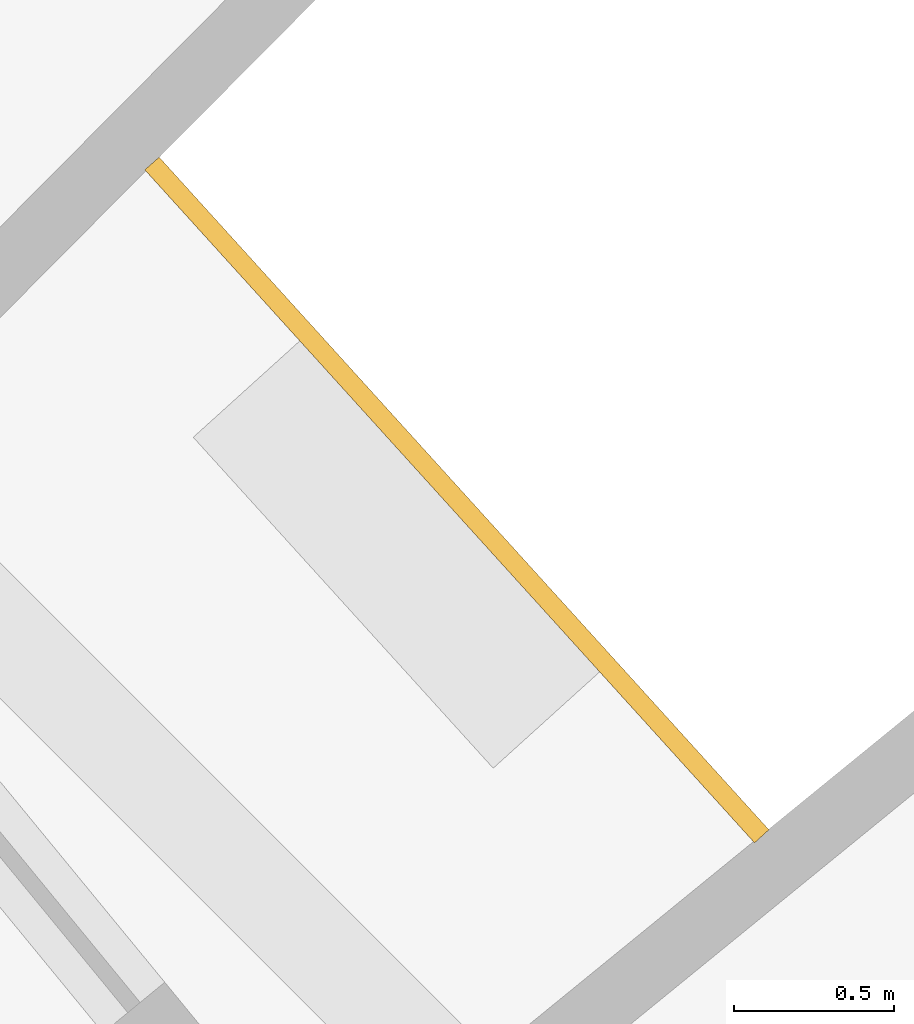
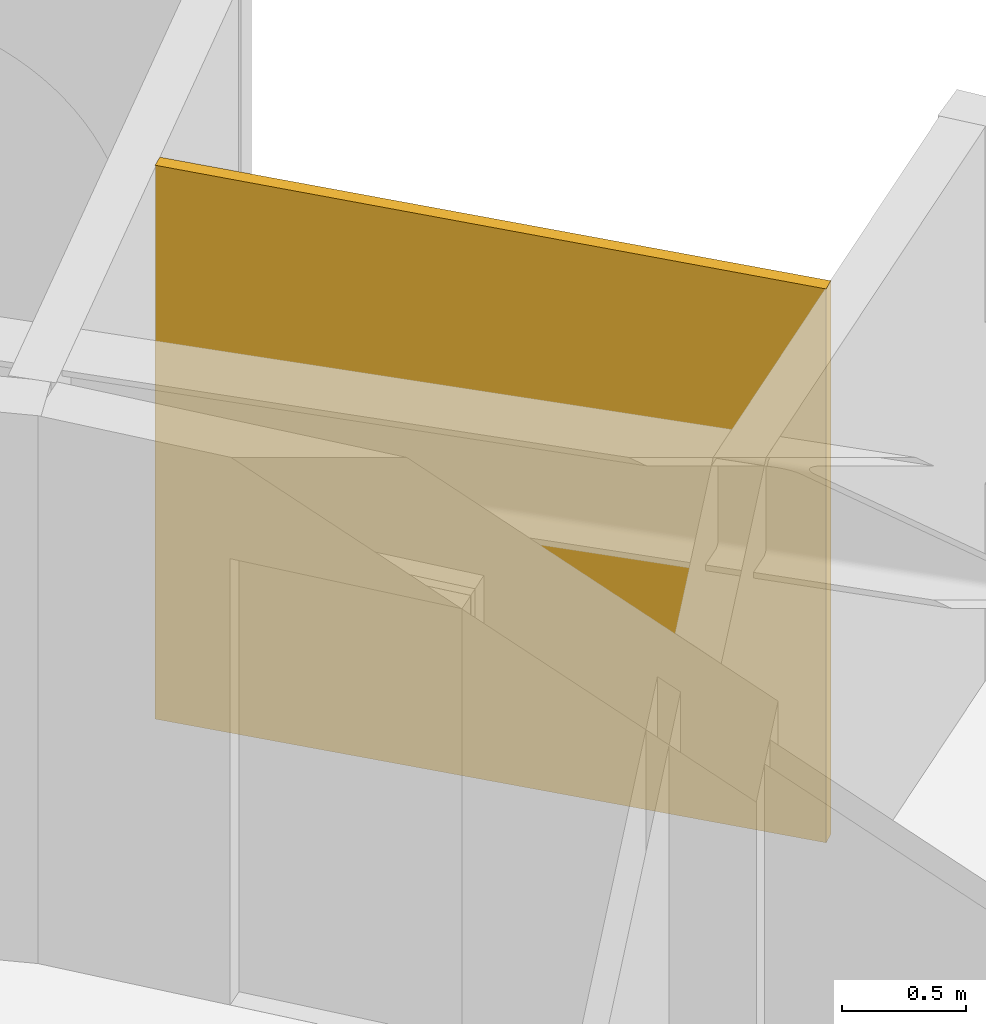
# One storey, part 26 of 26: 1 railing.
"""IFC4 building model written with IfcOpenShell, lengths in metres."""

import ifcopenshell
import ifcopenshell.guid

model = None  # the IFC model being written
_history = None  # IfcOwnerHistory: only IFC2X3 demands one
_inside = {}  # id of a spatial element -> (the spatial element, [elements in it])
_under = {}  # id of a project, library or spatial element -> (it, [spatial elements below it])
_declared = {}  # id of a project -> (the project, [libraries it declares])
_typed = {}  # id of a type object -> (the type object, [elements of that type])
_made_of = {}  # id of a material, layer set ... -> (it, [elements and type objects made of it])


def new_model(schema):
    """Start an empty IFC model of exactly this schema.

    Asked for "IFC4X3", IfcOpenShell would pick the latest addendum, in which some entities
    have other attributes; the version numbers below select the first issue.
    IFC2X3 requires an IfcOwnerHistory on every rooted entity: one is made here for all.
    """
    global model, _history
    if schema == "IFC4X3":
        model = ifcopenshell.file(schema_version=(4, 3, 0, 0))
    else:
        model = ifcopenshell.file(schema=schema)
    _inside.clear()
    _under.clear()
    _declared.clear()
    _typed.clear()
    _made_of.clear()
    _history = None
    if model.schema == "IFC2X3":
        org = make("IfcOrganization", Name="unknown")
        user = make(
            "IfcPersonAndOrganization",
            ThePerson=make("IfcPerson", FamilyName="unknown"),
            TheOrganization=org,
        )
        app = make(
            "IfcApplication",
            ApplicationDeveloper=org,
            Version="unknown",
            ApplicationFullName="unknown",
            ApplicationIdentifier="unknown",
        )
        _history = make(
            "IfcOwnerHistory",
            OwningUser=user,
            OwningApplication=app,
            ChangeAction="ADDED",
            CreationDate=0,
        )
    return model


def make(cls, **values):
    """One entity of the class cls with the attributes given. An attribute that is None is left unset."""
    return model.create_entity(
        cls, **{name: value for name, value in values.items() if value is not None}
    )


def rooted(cls, **values):
    """An entity with a GlobalId (a new one), such as an element, a storey or a relation."""
    return make(cls, GlobalId=ifcopenshell.guid.new(), OwnerHistory=_history, **values)


def si_unit(unit_type, name, prefix=None):
    """IfcSIUnit, for example si_unit("LENGTHUNIT", "METRE", prefix="MILLI")."""
    return make("IfcSIUnit", UnitType=unit_type, Prefix=prefix, Name=name)


def assignment(units):
    """IfcUnitAssignment: the units of a project."""
    return None if units is None else make("IfcUnitAssignment", Units=units)


def point(xyz):
    """IfcCartesianPoint."""
    return None if xyz is None else make("IfcCartesianPoint", Coordinates=xyz)


def direction(xyz):
    """IfcDirection."""
    return None if xyz is None else make("IfcDirection", DirectionRatios=xyz)


def frame(location, z_axis=None, x_axis=None):
    """IfcAxis2Placement3D, a coordinate frame: its origin and axes. An axis left out is left unset."""
    return make(
        "IfcAxis2Placement3D",
        Location=point(location),
        Axis=direction(z_axis),
        RefDirection=direction(x_axis),
    )


def origin():
    """The frame at (0, 0, 0) with its axes left unset."""
    return frame((0.0, 0.0, 0.0))


def place(relative_to, where):
    """IfcLocalPlacement: puts the frame where relative to a parent placement (None: the world)."""
    return make(
        "IfcLocalPlacement", PlacementRelTo=relative_to, RelativePlacement=where
    )


def context(
    kind, dimensions, precision=None, world=None, true_north=None, identifier=None
):
    """IfcGeometricRepresentationContext, for example the 3D "Model" context."""
    return make(
        "IfcGeometricRepresentationContext",
        ContextIdentifier=identifier,
        ContextType=kind,
        CoordinateSpaceDimension=dimensions,
        Precision=precision,
        WorldCoordinateSystem=world,
        TrueNorth=true_north,
    )


def subcontext(parent, identifier, kind, view, scale=None):
    """IfcGeometricRepresentationSubContext, for example "Body" below "Model"."""
    return make(
        "IfcGeometricRepresentationSubContext",
        ContextIdentifier=identifier,
        ContextType=kind,
        ParentContext=parent,
        TargetScale=scale,
        TargetView=view,
    )


def project(units=None, contexts=None):
    """IfcProject with its units and contexts."""
    return rooted(
        "IfcProject",
        Name="project",
        RepresentationContexts=contexts,
        UnitsInContext=assignment(units),
    )


def spatial(cls, under=None, at=None, **own):
    """A site, building, storey or space (cls), placed at a placement, below another one or the project."""
    s = rooted(cls, ObjectPlacement=at, **own)
    if under is not None:
        _under.setdefault(under.id(), (under, []))[1].append(s)
    return s


def polyline(points):
    """IfcPolyline through the points."""
    return make("IfcPolyline", Points=[point(p) for p in points])


def outline(outer, holes=None, kind="AREA"):
    """IfcArbitraryClosedProfileDef: a profile drawn as a closed curve; with holes, ...WithVoids."""
    if holes is None:
        return make("IfcArbitraryClosedProfileDef", ProfileType=kind, OuterCurve=outer)
    return make(
        "IfcArbitraryProfileDefWithVoids",
        ProfileType=kind,
        OuterCurve=outer,
        InnerCurves=holes,
    )


def extrude(swept, where, along, depth):
    """IfcExtrudedAreaSolid: the profile swept, set in the frame where, extruded along a direction by depth."""
    return make(
        "IfcExtrudedAreaSolid",
        SweptArea=swept,
        Position=where,
        ExtrudedDirection=direction(along),
        Depth=depth,
    )


def shape(context_of_items, identifier, shape_type, items):
    """IfcShapeRepresentation: the items that make up one representation, for example the "Body"."""
    return make(
        "IfcShapeRepresentation",
        ContextOfItems=context_of_items,
        RepresentationIdentifier=identifier,
        RepresentationType=shape_type,
        Items=items,
    )


def material(Name=None, Category=None):
    """IfcMaterial."""
    return make("IfcMaterial", Name=Name, Category=Category)


def layer(
    of_material, thickness, ventilated=None, Name=None, Category=None, Priority=None
):
    """IfcMaterialLayer: one layer of a wall or slab, of a material (None: an air gap)."""
    return make(
        "IfcMaterialLayer",
        Material=of_material,
        LayerThickness=thickness,
        IsVentilated=ventilated,
        Name=Name,
        Category=Category,
        Priority=Priority,
    )


def layer_set(layers, Name=None):
    """IfcMaterialLayerSet."""
    return make("IfcMaterialLayerSet", MaterialLayers=layers, LayerSetName=Name)


def made_of(thing, what):
    """Note that an element or type object is made of a material, layer set ...; save() writes the relation."""
    if what is not None:
        _made_of.setdefault(what.id(), (what, []))[1].append(thing)
    return thing


def type_object(cls, material=None, **own):
    """A type object (cls), such as IfcWallType, which elements share."""
    return made_of(rooted(cls, **own), material)


def element(
    cls,
    number,
    at=None,
    inside=None,
    cuts=None,
    type_object=None,
    material=None,
    context=None,
    identifier="Body",
    shape_type=None,
    held_by="IfcProductDefinitionShape",
    body=None,
    shapes=None,
    **own,
):
    """One element of the class cls, such as IfcWall. Its Tag is "e" and its number.

    at: its placement. inside: the storey or other place that contains it. cuts: it is an
    opening in that element (IfcRelVoidsElement). A single representation is given by context,
    identifier, shape_type and body (its items); several are given by shapes. held_by: the class
    of the entity that holds the representations. save() writes the other relations.
    """
    e = rooted(cls, Tag="e%d" % number, ObjectPlacement=at, **own)
    if body is not None:
        shapes = [shape(context, identifier, shape_type, body)]
    if shapes is not None:
        e.Representation = make(held_by, Representations=shapes)
    if inside is not None:
        _inside.setdefault(inside.id(), (inside, []))[1].append(e)
    if cuts is not None:
        rooted(
            "IfcRelVoidsElement", RelatingBuildingElement=cuts, RelatedOpeningElement=e
        )
    if type_object is not None:
        _typed.setdefault(type_object.id(), (type_object, []))[1].append(e)
    return made_of(e, material)


def aggregate(whole, parts):
    """IfcRelAggregates: a whole, such as a stair, and the parts it consists of."""
    return rooted("IfcRelAggregates", RelatingObject=whole, RelatedObjects=parts)


def save(model, path):
    """Write the relations noted so far, then the file.

    IfcRelAggregates (storeys below a building ...), IfcRelContainedInSpatialStructure (elements
    in a storey), IfcRelDefinesByType, IfcRelAssociatesMaterial and IfcRelDeclares: one each for
    every whole, place, type object, material and project.
    """
    for whole, parts in _under.values():
        aggregate(whole, parts)
    for where, things in _inside.values():
        rooted(
            "IfcRelContainedInSpatialStructure",
            RelatedElements=things,
            RelatingStructure=where,
        )
    for kind, things in _typed.values():
        rooted("IfcRelDefinesByType", RelatedObjects=things, RelatingType=kind)
    for what, things in _made_of.values():
        rooted("IfcRelAssociatesMaterial", RelatedObjects=things, RelatingMaterial=what)
    for by, libraries in _declared.values():
        rooted("IfcRelDeclares", RelatingContext=by, RelatedDefinitions=libraries)
    model.write(path)


model = new_model("IFC4")

# Units and contexts
model_context = context("Model", 3, precision=1e-05, world=origin(), true_north=direction((0.0, 1.0)))
body_context = subcontext(model_context, "Body", "Model", "MODEL_VIEW")
ifc_project = project(units=[si_unit("LENGTHUNIT", "METRE"), si_unit("AREAUNIT", "SQUARE_METRE"), si_unit("VOLUMEUNIT", "CUBIC_METRE"), si_unit("PLANEANGLEUNIT", "RADIAN"), si_unit("MASSUNIT", "GRAM", prefix="KILO")], contexts=[model_context])

# Site, building, storey
site_placement = place(None, origin())
site = spatial("IfcSite", under=ifc_project, at=site_placement, CompositionType="ELEMENT")
building_placement = place(site_placement, origin())
building = spatial("IfcBuilding", under=site, at=building_placement, Name="Maasbend Ring Residences", CompositionType="ELEMENT")
storey_placement = place(building_placement, frame((0.0, 0.0, 44.14990234375)))
storey = spatial("IfcBuildingStorey", under=building, at=storey_placement, Name="L12", CompositionType="ELEMENT", Elevation=44.14990234375)

# Railing
ifc_material = material(Name="Pale anodised perforated aluminium", Category="aluminium")
ifc_layer = layer(ifc_material, 0.06005859375)
ifc_layer_set = layer_set([ifc_layer], Name="SCREEN-P")
railing_type = type_object("IfcRailingType", Name="SCREEN-P", PredefinedType="GUARDRAIL", material=ifc_layer_set)
railing_placement = place(storey_placement, frame((0.0, 0.0, -0.02978515625)))
element("IfcRailing", 1, at=railing_placement, inside=storey, type_object=railing_type, Name="Perforated screen guard 1", PredefinedType="GUARDRAIL", context=body_context, shape_type="SweptSolid", body=[
    extrude(outline(polyline([(22.4169921875, 18.39697265625), (20.506103515625, 20.506103515625), (20.551025390625, 20.5458984375), (22.4619140625, 18.43798828125), (22.4169921875, 18.39697265625)])), origin(), (0.0, 0.0, 1.0), 2.72998046875),
])

save(model, "model.ifc")
